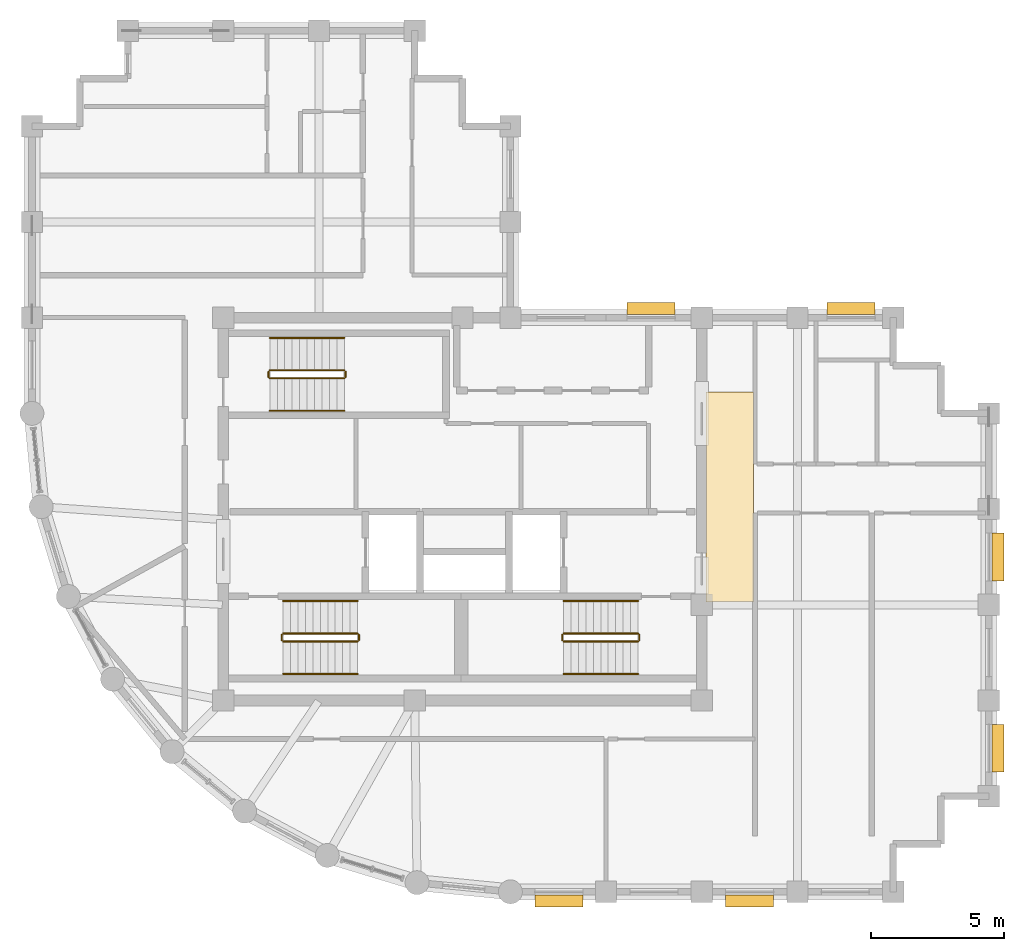
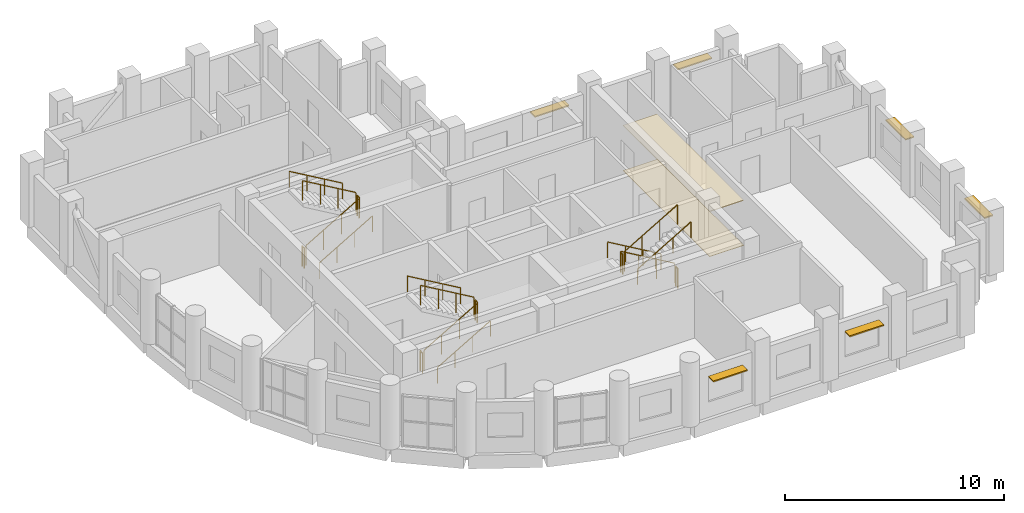
# One storey, part 11 of 11: 18 railings, 6 shading devices, 2 coverings.
"""IFC4 building model written with IfcOpenShell, lengths in metres."""

from ifc_helpers import new_model, si_unit, direction, frame, origin, origin_2d, place, context, subcontext, project, spatial, polyline, rectangle, circle, outline, extrude, material, layer, layer_set, type_object, element, save


model = new_model("IFC4")

# Units and contexts
model_context = context("Model", 3, precision=1e-05, world=origin(), true_north=direction((0.0, 1.0)))
body_context = subcontext(model_context, "Body", "Model", "MODEL_VIEW")
ifc_project = project(units=[si_unit("LENGTHUNIT", "METRE"), si_unit("AREAUNIT", "SQUARE_METRE"), si_unit("VOLUMEUNIT", "CUBIC_METRE"), si_unit("PLANEANGLEUNIT", "RADIAN"), si_unit("MASSUNIT", "GRAM", prefix="KILO")], contexts=[model_context])

# Site, building, storey
site_placement = place(None, origin())
site = spatial("IfcSite", under=ifc_project, at=site_placement, CompositionType="ELEMENT")
building_placement = place(site_placement, origin())
building = spatial("IfcBuilding", under=site, at=building_placement, Name="Solnavia Interchange Tower", CompositionType="ELEMENT")
storey_placement = place(building_placement, frame((0.0, 0.0, 273.800048828125)))
storey = spatial("IfcBuildingStorey", under=building, at=storey_placement, Name="L69", CompositionType="ELEMENT", Elevation=273.800048828125)

# Coverings
ifc_material_1 = material(Name="Perforated Mineral-Fibre & Gypsum Ceiling", Category="gypsum")
ifc_layer_1 = layer(ifc_material_1, 0.0400390625)
ifc_layer_set_1 = layer_set([ifc_layer_1], Name="Perforated Mineral-Fibre & Gypsum Ceiling")
covering_type_1 = type_object("IfcCoveringType", Name="Covering-Ceiling-Acoustic40", PredefinedType="CEILING", material=ifc_layer_set_1)
covering_1_placement = place(storey_placement, frame((0.0, 0.0, 2.5)))
element("IfcCovering", 1, at=covering_1_placement, inside=storey, type_object=covering_type_1, Name="CLG-L69-01 Circulation suspended acoustic ceiling", PredefinedType="CEILING", context=body_context, shape_type="SweptSolid", body=[
    extrude(outline(polyline([(32.550048828125, 14.5), (34.35009765625, 14.5), (34.35009765625, 22.39990234375), (32.550048828125, 22.39990234375), (32.550048828125, 14.5)])), origin(), (0.0, 0.0, 1.0), 0.0400390625),
])
ifc_material_2 = material(Name="Engineered European Oak Flooring", Category="wood")
ifc_layer_2 = layer(ifc_material_2, 0.02001953125)
ifc_layer_set_2 = layer_set([ifc_layer_2], Name="Engineered European Oak Flooring")
covering_type_2 = type_object("IfcCoveringType", Name="Covering-Flooring-Timber20", PredefinedType="FLOORING", material=ifc_layer_set_2)
covering_2_placement = place(storey_placement, origin())
element("IfcCovering", 2, at=covering_2_placement, inside=storey, type_object=covering_type_2, Name="FLR-L69-01 Circulation floor finish", PredefinedType="FLOORING", context=body_context, shape_type="SweptSolid", body=[
    extrude(outline(polyline([(32.550048828125, 14.5), (34.35009765625, 14.5), (34.35009765625, 22.39990234375), (32.550048828125, 22.39990234375), (32.550048828125, 14.5)])), origin(), (0.0, 0.0, 1.0), 0.02001953125),
])

# Railings
ifc_material_3 = material(Name="Painted Steel Balustrade", Category="steel")
railing_type_1 = type_object("IfcRailingType", Name="Railing-StairGuard-1100", PredefinedType="GUARDRAIL", material=ifc_material_3)
railing_1_placement = place(storey_placement, frame((16.64990234375, 13.02001953125, 0.16357421875)))
element("IfcRailing", 3, at=railing_1_placement, inside=storey, type_object=railing_type_1, Name="L69 ST-1 stair guard 1", PredefinedType="GUARDRAIL", context=body_context, shape_type="SweptSolid", body=[
    extrude(circle(Radius=0.02392578125, at=origin_2d()), frame((0.0, 0.0, 1.09619140625), z_axis=(0.863360870873, 0.0, 0.504586966384), x_axis=(0.0, 1.0, 0.0)), (0.0, 0.0, 1.0), 3.2431640625),
    extrude(circle(Radius=0.02099609375, at=origin_2d()), origin(), (0.0, 0.0, 1.0), 1.072021484375),
    extrude(circle(Radius=0.02099609375, at=origin_2d()), frame((0.933349609375, 0.0, 0.54541015625)), (0.0, 0.0, 1.0), 1.072021484375),
    extrude(circle(Radius=0.02099609375, at=origin_2d()), frame((1.86669921875, 0.0, 1.091064453125)), (0.0, 0.0, 1.0), 1.072021484375),
    extrude(circle(Radius=0.02099609375, at=origin_2d()), frame((2.800048828125, 0.0, 1.636474609375)), (0.0, 0.0, 1.0), 1.072021484375),
])
railing_2_placement = place(storey_placement, frame((19.5, 13.070068359375, 1.800048828125)))
element("IfcRailing", 4, at=railing_2_placement, inside=storey, type_object=railing_type_1, Name="L69 ST-1 stair guard 2", PredefinedType="GUARDRAIL", context=body_context, shape_type="SweptSolid", body=[
    extrude(circle(Radius=0.02392578125, at=origin_2d()), frame((0.0, 0.0, 1.09619140625), z_axis=(0.0, 1.0, 0.0), x_axis=(-1.0, 0.0, 0.0)), (0.0, 0.0, 1.0), 0.199951171875),
    extrude(circle(Radius=0.02099609375, at=origin_2d()), origin(), (0.0, 0.0, 1.0), 1.072021484375),
    extrude(circle(Radius=0.02099609375, at=origin_2d()), frame((0.0, 0.199951171875, 0.0)), (0.0, 0.0, 1.0), 1.072021484375),
])
railing_3_placement = place(storey_placement, frame((19.449951171875, 13.320068359375, 1.963623046875)))
element("IfcRailing", 5, at=railing_3_placement, inside=storey, type_object=railing_type_1, Name="L69 ST-1 stair guard 3", PredefinedType="GUARDRAIL", context=body_context, shape_type="SweptSolid", body=[
    extrude(circle(Radius=0.02392578125, at=origin_2d()), frame((0.0, 0.0, 1.09619140625), z_axis=(-0.863393664356, 0.0, 0.504530851732), x_axis=(0.0, -1.0, 0.0)), (0.0, 0.0, 1.0), 3.2431640625),
    extrude(circle(Radius=0.02099609375, at=origin_2d()), origin(), (0.0, 0.0, 1.0), 1.072021484375),
    extrude(circle(Radius=0.02099609375, at=origin_2d()), frame((-0.933349609375, 0.0, 0.54541015625)), (0.0, 0.0, 1.0), 1.072021484375),
    extrude(circle(Radius=0.02099609375, at=origin_2d()), frame((-1.86669921875, 0.0, 1.0908203125)), (0.0, 0.0, 1.0), 1.072021484375),
    extrude(circle(Radius=0.02099609375, at=origin_2d()), frame((-2.800048828125, 0.0, 1.63623046875)), (0.0, 0.0, 1.0), 1.072021484375),
])
railing_4_placement = place(storey_placement, frame((16.60009765625, 13.070068359375, 0.0)))
element("IfcRailing", 6, at=railing_4_placement, inside=storey, type_object=railing_type_1, Name="L69 ST-1 stair guard 4", PredefinedType="GUARDRAIL", context=body_context, shape_type="SweptSolid", body=[
    extrude(circle(Radius=0.02392578125, at=origin_2d()), frame((0.0, 0.0, 1.09619140625), z_axis=(0.0, 1.0, 0.0), x_axis=(-1.0, 0.0, 0.0)), (0.0, 0.0, 1.0), 0.199951171875),
    extrude(circle(Radius=0.02099609375, at=origin_2d()), origin(), (0.0, 0.0, 1.0), 1.072021484375),
    extrude(circle(Radius=0.02099609375, at=origin_2d()), frame((0.0, 0.199951171875, 0.0)), (0.0, 0.0, 1.0), 1.072021484375),
])
railing_5_placement = place(storey_placement, frame((30.0, 13.320068359375, 0.16357421875)))
element("IfcRailing", 7, at=railing_5_placement, inside=storey, type_object=railing_type_1, Name="L69 ST-2 stair guard 1", PredefinedType="GUARDRAIL", context=body_context, shape_type="SweptSolid", body=[
    extrude(circle(Radius=0.02392578125, at=origin_2d()), frame((0.0, 0.0, 1.09619140625), z_axis=(-0.863360870873, 0.0, 0.504586966384), x_axis=(0.0, -1.0, 0.0)), (0.0, 0.0, 1.0), 3.2431640625),
    extrude(circle(Radius=0.02099609375, at=origin_2d()), origin(), (0.0, 0.0, 1.0), 1.072021484375),
    extrude(circle(Radius=0.02099609375, at=origin_2d()), frame((-0.933349609375, 0.0, 0.54541015625)), (0.0, 0.0, 1.0), 1.072021484375),
    extrude(circle(Radius=0.02099609375, at=origin_2d()), frame((-1.86669921875, 0.0, 1.091064453125)), (0.0, 0.0, 1.0), 1.072021484375),
    extrude(circle(Radius=0.02099609375, at=origin_2d()), frame((-2.800048828125, 0.0, 1.636474609375)), (0.0, 0.0, 1.0), 1.072021484375),
])
railing_6_placement = place(storey_placement, frame((27.14990234375, 13.27001953125, 1.800048828125)))
element("IfcRailing", 8, at=railing_6_placement, inside=storey, type_object=railing_type_1, Name="L69 ST-2 stair guard 2", PredefinedType="GUARDRAIL", context=body_context, shape_type="SweptSolid", body=[
    extrude(circle(Radius=0.02392578125, at=origin_2d()), frame((0.0, 0.0, 1.09619140625), z_axis=(0.0, -1.0, 0.0), x_axis=(1.0, 0.0, 0.0)), (0.0, 0.0, 1.0), 0.199951171875),
    extrude(circle(Radius=0.02099609375, at=origin_2d()), origin(), (0.0, 0.0, 1.0), 1.072021484375),
    extrude(circle(Radius=0.02099609375, at=origin_2d()), frame((0.0, -0.199951171875, 0.0)), (0.0, 0.0, 1.0), 1.072021484375),
])
railing_7_placement = place(storey_placement, frame((27.199951171875, 13.02001953125, 1.963623046875)))
element("IfcRailing", 9, at=railing_7_placement, inside=storey, type_object=railing_type_1, Name="L69 ST-2 stair guard 3", PredefinedType="GUARDRAIL", context=body_context, shape_type="SweptSolid", body=[
    extrude(circle(Radius=0.02392578125, at=origin_2d()), frame((0.0, 0.0, 1.09619140625), z_axis=(0.863393664356, 0.0, 0.504530851732), x_axis=(0.0, 1.0, 0.0)), (0.0, 0.0, 1.0), 3.2431640625),
    extrude(circle(Radius=0.02099609375, at=origin_2d()), origin(), (0.0, 0.0, 1.0), 1.072021484375),
    extrude(circle(Radius=0.02099609375, at=origin_2d()), frame((0.933349609375, 0.0, 0.54541015625)), (0.0, 0.0, 1.0), 1.072021484375),
    extrude(circle(Radius=0.02099609375, at=origin_2d()), frame((1.86669921875, 0.0, 1.0908203125)), (0.0, 0.0, 1.0), 1.072021484375),
    extrude(circle(Radius=0.02099609375, at=origin_2d()), frame((2.800048828125, 0.0, 1.63623046875)), (0.0, 0.0, 1.0), 1.072021484375),
])
railing_8_placement = place(storey_placement, frame((30.050048828125, 13.27001953125, 0.0)))
element("IfcRailing", 10, at=railing_8_placement, inside=storey, type_object=railing_type_1, Name="L69 ST-2 stair guard 4", PredefinedType="GUARDRAIL", context=body_context, shape_type="SweptSolid", body=[
    extrude(circle(Radius=0.02392578125, at=origin_2d()), frame((0.0, 0.0, 1.09619140625), z_axis=(0.0, -1.0, 0.0), x_axis=(1.0, 0.0, 0.0)), (0.0, 0.0, 1.0), 0.199951171875),
    extrude(circle(Radius=0.02099609375, at=origin_2d()), origin(), (0.0, 0.0, 1.0), 1.072021484375),
    extrude(circle(Radius=0.02099609375, at=origin_2d()), frame((0.0, -0.199951171875, 0.0)), (0.0, 0.0, 1.0), 1.072021484375),
])
railing_9_placement = place(storey_placement, frame((16.14990234375, 22.919921875, 0.16357421875)))
element("IfcRailing", 11, at=railing_9_placement, inside=storey, type_object=railing_type_1, Name="L69 ST-3 stair guard 1", PredefinedType="GUARDRAIL", context=body_context, shape_type="SweptSolid", body=[
    extrude(circle(Radius=0.02392578125, at=origin_2d()), frame((0.0, 0.0, 1.09619140625), z_axis=(0.863360870873, 0.0, 0.504586966384), x_axis=(0.0, 1.0, 0.0)), (0.0, 0.0, 1.0), 3.2431640625),
    extrude(circle(Radius=0.02099609375, at=origin_2d()), origin(), (0.0, 0.0, 1.0), 1.072021484375),
    extrude(circle(Radius=0.02099609375, at=origin_2d()), frame((0.933349609375, 0.0, 0.54541015625)), (0.0, 0.0, 1.0), 1.072021484375),
    extrude(circle(Radius=0.02099609375, at=origin_2d()), frame((1.86669921875, 0.0, 1.091064453125)), (0.0, 0.0, 1.0), 1.072021484375),
    extrude(circle(Radius=0.02099609375, at=origin_2d()), frame((2.800048828125, 0.0, 1.636474609375)), (0.0, 0.0, 1.0), 1.072021484375),
])
railing_10_placement = place(storey_placement, frame((19.0, 22.969970703125, 1.800048828125)))
element("IfcRailing", 12, at=railing_10_placement, inside=storey, type_object=railing_type_1, Name="L69 ST-3 stair guard 2", PredefinedType="GUARDRAIL", context=body_context, shape_type="SweptSolid", body=[
    extrude(circle(Radius=0.02392578125, at=origin_2d()), frame((0.0, 0.0, 1.09619140625), z_axis=(0.0, 1.0, 0.0), x_axis=(-1.0, 0.0, 0.0)), (0.0, 0.0, 1.0), 0.199951171875),
    extrude(circle(Radius=0.02099609375, at=origin_2d()), origin(), (0.0, 0.0, 1.0), 1.072021484375),
    extrude(circle(Radius=0.02099609375, at=origin_2d()), frame((0.0, 0.199951171875, 0.0)), (0.0, 0.0, 1.0), 1.072021484375),
])
railing_11_placement = place(storey_placement, frame((18.949951171875, 23.219970703125, 1.963623046875)))
element("IfcRailing", 13, at=railing_11_placement, inside=storey, type_object=railing_type_1, Name="L69 ST-3 stair guard 3", PredefinedType="GUARDRAIL", context=body_context, shape_type="SweptSolid", body=[
    extrude(circle(Radius=0.02392578125, at=origin_2d()), frame((0.0, 0.0, 1.09619140625), z_axis=(-0.863393664356, 0.0, 0.504530851732), x_axis=(0.0, -1.0, 0.0)), (0.0, 0.0, 1.0), 3.2431640625),
    extrude(circle(Radius=0.02099609375, at=origin_2d()), origin(), (0.0, 0.0, 1.0), 1.072021484375),
    extrude(circle(Radius=0.02099609375, at=origin_2d()), frame((-0.933349609375, 0.0, 0.54541015625)), (0.0, 0.0, 1.0), 1.072021484375),
    extrude(circle(Radius=0.02099609375, at=origin_2d()), frame((-1.86669921875, 0.0, 1.0908203125)), (0.0, 0.0, 1.0), 1.072021484375),
    extrude(circle(Radius=0.02099609375, at=origin_2d()), frame((-2.800048828125, 0.0, 1.63623046875)), (0.0, 0.0, 1.0), 1.072021484375),
])
railing_12_placement = place(storey_placement, frame((16.10009765625, 22.969970703125, 0.0)))
element("IfcRailing", 14, at=railing_12_placement, inside=storey, type_object=railing_type_1, Name="L69 ST-3 stair guard 4", PredefinedType="GUARDRAIL", context=body_context, shape_type="SweptSolid", body=[
    extrude(circle(Radius=0.02392578125, at=origin_2d()), frame((0.0, 0.0, 1.09619140625), z_axis=(0.0, 1.0, 0.0), x_axis=(-1.0, 0.0, 0.0)), (0.0, 0.0, 1.0), 0.199951171875),
    extrude(circle(Radius=0.02099609375, at=origin_2d()), origin(), (0.0, 0.0, 1.0), 1.072021484375),
    extrude(circle(Radius=0.02099609375, at=origin_2d()), frame((0.0, 0.199951171875, 0.0)), (0.0, 0.0, 1.0), 1.072021484375),
])
ifc_material_4 = material(Name="Brushed Stainless Steel", Category="steel")
railing_type_2 = type_object("IfcRailingType", Name="Railing-StairHandrail-900", PredefinedType="HANDRAIL", material=ifc_material_4)
railing_13_placement = place(storey_placement, frame((16.64990234375, 11.800048828125, 0.16357421875)))
element("IfcRailing", 15, at=railing_13_placement, inside=storey, type_object=railing_type_2, Name="L69 ST-1 stair handrail 1", PredefinedType="HANDRAIL", context=body_context, shape_type="SweptSolid", body=[
    extrude(circle(Radius=0.02392578125, at=origin_2d()), frame((0.0, 0.0, 0.8759765625), z_axis=(0.863360870873, 0.0, 0.504586966384), x_axis=(0.0, 1.0, 0.0)), (0.0, 0.0, 1.0), 3.2431640625),
    extrude(circle(Radius=0.02099609375, at=origin_2d()), origin(), (0.0, 0.0, 1.0), 0.851806640625),
    extrude(circle(Radius=0.02099609375, at=origin_2d()), frame((0.933349609375, 0.0, 0.54541015625)), (0.0, 0.0, 1.0), 0.851806640625),
    extrude(circle(Radius=0.02099609375, at=origin_2d()), frame((1.86669921875, 0.0, 1.091064453125)), (0.0, 0.0, 1.0), 0.851806640625),
    extrude(circle(Radius=0.02099609375, at=origin_2d()), frame((2.800048828125, 0.0, 1.636474609375)), (0.0, 0.0, 1.0), 0.851806640625),
])
railing_14_placement = place(storey_placement, frame((19.449951171875, 14.5400390625, 1.963623046875)))
element("IfcRailing", 16, at=railing_14_placement, inside=storey, type_object=railing_type_2, Name="L69 ST-1 stair handrail 2", PredefinedType="HANDRAIL", context=body_context, shape_type="SweptSolid", body=[
    extrude(circle(Radius=0.02392578125, at=origin_2d()), frame((0.0, 0.0, 0.8759765625), z_axis=(-0.863393664356, 0.0, 0.504530851732), x_axis=(0.0, -1.0, 0.0)), (0.0, 0.0, 1.0), 3.2431640625),
    extrude(circle(Radius=0.02099609375, at=origin_2d()), origin(), (0.0, 0.0, 1.0), 0.851806640625),
    extrude(circle(Radius=0.02099609375, at=origin_2d()), frame((-0.933349609375, 0.0, 0.54541015625)), (0.0, 0.0, 1.0), 0.851806640625),
    extrude(circle(Radius=0.02099609375, at=origin_2d()), frame((-1.86669921875, 0.0, 1.0908203125)), (0.0, 0.0, 1.0), 0.851806640625),
    extrude(circle(Radius=0.02099609375, at=origin_2d()), frame((-2.800048828125, 0.0, 1.63623046875)), (0.0, 0.0, 1.0), 0.851806640625),
])
railing_15_placement = place(storey_placement, frame((30.0, 14.5400390625, 0.16357421875)))
element("IfcRailing", 17, at=railing_15_placement, inside=storey, type_object=railing_type_2, Name="L69 ST-2 stair handrail 1", PredefinedType="HANDRAIL", context=body_context, shape_type="SweptSolid", body=[
    extrude(circle(Radius=0.02392578125, at=origin_2d()), frame((0.0, 0.0, 0.8759765625), z_axis=(-0.863360870873, 0.0, 0.504586966384), x_axis=(0.0, -1.0, 0.0)), (0.0, 0.0, 1.0), 3.2431640625),
    extrude(circle(Radius=0.02099609375, at=origin_2d()), origin(), (0.0, 0.0, 1.0), 0.851806640625),
    extrude(circle(Radius=0.02099609375, at=origin_2d()), frame((-0.933349609375, 0.0, 0.54541015625)), (0.0, 0.0, 1.0), 0.851806640625),
    extrude(circle(Radius=0.02099609375, at=origin_2d()), frame((-1.86669921875, 0.0, 1.091064453125)), (0.0, 0.0, 1.0), 0.851806640625),
    extrude(circle(Radius=0.02099609375, at=origin_2d()), frame((-2.800048828125, 0.0, 1.636474609375)), (0.0, 0.0, 1.0), 0.851806640625),
])
railing_16_placement = place(storey_placement, frame((27.199951171875, 11.800048828125, 1.963623046875)))
element("IfcRailing", 18, at=railing_16_placement, inside=storey, type_object=railing_type_2, Name="L69 ST-2 stair handrail 2", PredefinedType="HANDRAIL", context=body_context, shape_type="SweptSolid", body=[
    extrude(circle(Radius=0.02392578125, at=origin_2d()), frame((0.0, 0.0, 0.8759765625), z_axis=(0.863393664356, 0.0, 0.504530851732), x_axis=(0.0, 1.0, 0.0)), (0.0, 0.0, 1.0), 3.2431640625),
    extrude(circle(Radius=0.02099609375, at=origin_2d()), origin(), (0.0, 0.0, 1.0), 0.851806640625),
    extrude(circle(Radius=0.02099609375, at=origin_2d()), frame((0.933349609375, 0.0, 0.54541015625)), (0.0, 0.0, 1.0), 0.851806640625),
    extrude(circle(Radius=0.02099609375, at=origin_2d()), frame((1.86669921875, 0.0, 1.0908203125)), (0.0, 0.0, 1.0), 0.851806640625),
    extrude(circle(Radius=0.02099609375, at=origin_2d()), frame((2.800048828125, 0.0, 1.63623046875)), (0.0, 0.0, 1.0), 0.851806640625),
])
railing_17_placement = place(storey_placement, frame((16.14990234375, 21.699951171875, 0.16357421875)))
element("IfcRailing", 19, at=railing_17_placement, inside=storey, type_object=railing_type_2, Name="L69 ST-3 stair handrail 1", PredefinedType="HANDRAIL", context=body_context, shape_type="SweptSolid", body=[
    extrude(circle(Radius=0.02392578125, at=origin_2d()), frame((0.0, 0.0, 0.8759765625), z_axis=(0.863360870873, 0.0, 0.504586966384), x_axis=(0.0, 1.0, 0.0)), (0.0, 0.0, 1.0), 3.2431640625),
    extrude(circle(Radius=0.02099609375, at=origin_2d()), origin(), (0.0, 0.0, 1.0), 0.851806640625),
    extrude(circle(Radius=0.02099609375, at=origin_2d()), frame((0.933349609375, 0.0, 0.54541015625)), (0.0, 0.0, 1.0), 0.851806640625),
    extrude(circle(Radius=0.02099609375, at=origin_2d()), frame((1.86669921875, 0.0, 1.091064453125)), (0.0, 0.0, 1.0), 0.851806640625),
    extrude(circle(Radius=0.02099609375, at=origin_2d()), frame((2.800048828125, 0.0, 1.636474609375)), (0.0, 0.0, 1.0), 0.851806640625),
])
railing_18_placement = place(storey_placement, frame((18.949951171875, 24.43994140625, 1.963623046875)))
element("IfcRailing", 20, at=railing_18_placement, inside=storey, type_object=railing_type_2, Name="L69 ST-3 stair handrail 2", PredefinedType="HANDRAIL", context=body_context, shape_type="SweptSolid", body=[
    extrude(circle(Radius=0.02392578125, at=origin_2d()), frame((0.0, 0.0, 0.8759765625), z_axis=(-0.863393664356, 0.0, 0.504530851732), x_axis=(0.0, -1.0, 0.0)), (0.0, 0.0, 1.0), 3.2431640625),
    extrude(circle(Radius=0.02099609375, at=origin_2d()), origin(), (0.0, 0.0, 1.0), 0.851806640625),
    extrude(circle(Radius=0.02099609375, at=origin_2d()), frame((-0.933349609375, 0.0, 0.54541015625)), (0.0, 0.0, 1.0), 0.851806640625),
    extrude(circle(Radius=0.02099609375, at=origin_2d()), frame((-1.86669921875, 0.0, 1.0908203125)), (0.0, 0.0, 1.0), 0.851806640625),
    extrude(circle(Radius=0.02099609375, at=origin_2d()), frame((-2.800048828125, 0.0, 1.63623046875)), (0.0, 0.0, 1.0), 0.851806640625),
])

# Shading devices
ifc_material_5 = material(Name="Anodised Aluminium Sunshade", Category="aluminium")
ifc_layer_3 = layer(ifc_material_5, 0.070068359375)
ifc_layer_set_3 = layer_set([ifc_layer_3], Name="Anodised Aluminium Sunshade")
shading_device_type = type_object("IfcShadingDeviceType", Name="Sunshade-Band-450", PredefinedType="JALOUSIE", material=ifc_layer_set_3)
for number, where, z_axis, x_axis, name in (
    (21, (27.02490234375, 3.2548828125, 2.22509765625), (0.0, 0.0, 1.0), (-1.0, 0.0, 0.0), "SHD-L69-01 Horizontal sunshade band"),
    (22, (34.199951171875, 3.2548828125, 2.22509765625), (0.0, 0.0, 1.0), (-1.0, 0.0, 0.0), "SHD-L69-03 Horizontal sunshade band"),
    (23, (43.544921875, 9.0, 2.22509765625), (0.0, 0.0, 1.0), (0.0, -1.0, 0.0), "SHD-L69-09 Horizontal sunshade band"),
    (24, (43.544921875, 16.199951171875, 2.22509765625), (0.0, 0.0, 1.0), (0.0, -1.0, 0.0), "SHD-L69-11 Horizontal sunshade band"),
    (25, (38.02001953125, 25.544921875, 2.22509765625), (0.0, 0.0, 1.0), (1.0, 0.0, 0.0), "SHD-L69-17 Horizontal sunshade band"),
    (26, (30.4951171875, 25.544921875, 2.22509765625), (0.0, 0.0, 1.0), (1.0, 0.0, 0.0), "SHD-L69-19 Horizontal sunshade band"),
):
    element("IfcShadingDevice", number, at=place(storey_placement, frame(where, z_axis=z_axis, x_axis=x_axis)), inside=storey, type_object=shading_device_type, Name=name, PredefinedType="JALOUSIE", context=body_context, shape_type="SweptSolid", body=[
        extrude(rectangle(XDim=1.800048828125, YDim=0.449951171875, at=origin_2d()), origin(), (0.0, 0.0, 1.0), 0.070068359375),
    ])

save(model, "model.ifc")
